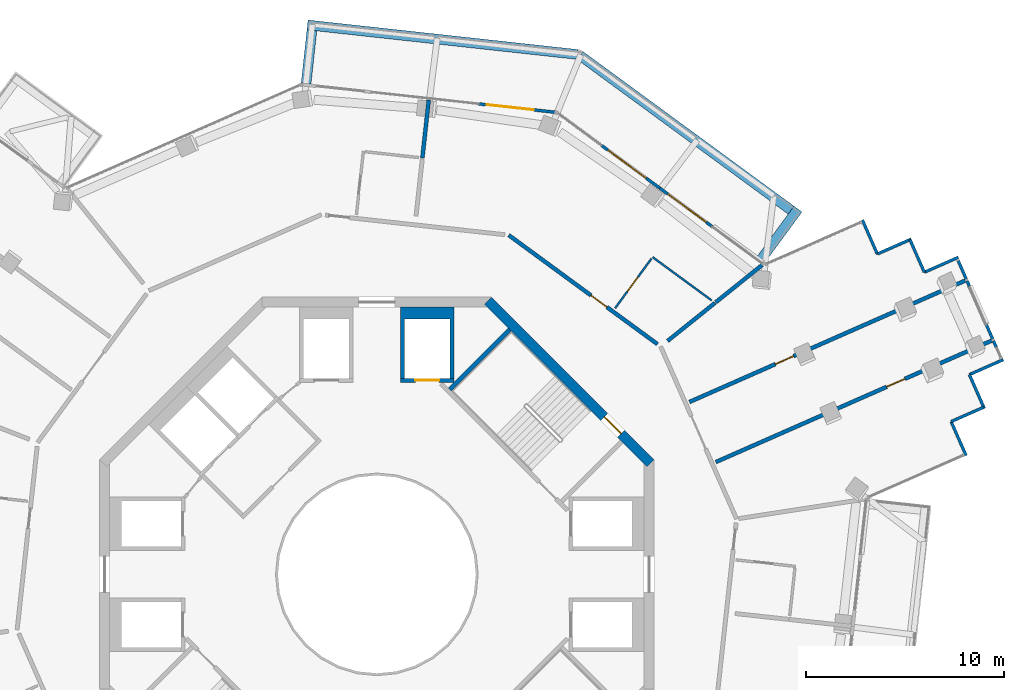
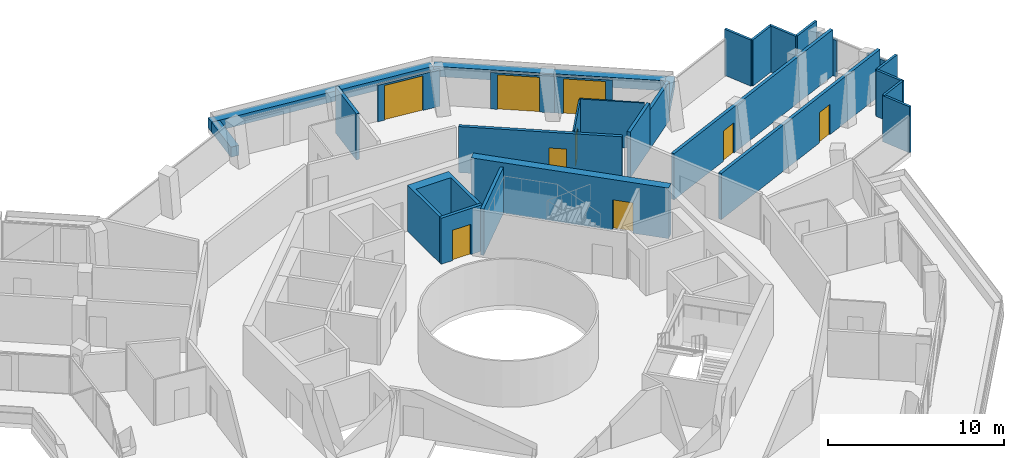
# One storey, part 19 of 22: 31 walls, 9 doors, 9 openings.
"""IFC4 building model written with IfcOpenShell, lengths in metres."""

from ifc_helpers import new_model, si_unit, direction, frame, frame_2d, origin, place, context, subcontext, project, spatial, polyline, rectangle, outline, extrude, material, layer, layer_set, type_object, element, fill, save


model = new_model("IFC4")

# Units and contexts
model_context = context("Model", 3, precision=1e-05, world=origin(), true_north=direction((0.0, 1.0)))
body_context = subcontext(model_context, "Body", "Model", "MODEL_VIEW")
ifc_project = project(units=[si_unit("LENGTHUNIT", "METRE"), si_unit("AREAUNIT", "SQUARE_METRE"), si_unit("VOLUMEUNIT", "CUBIC_METRE"), si_unit("PLANEANGLEUNIT", "RADIAN"), si_unit("MASSUNIT", "GRAM", prefix="KILO")], contexts=[model_context])

# Site, building, storey
site_placement = place(None, origin())
site = spatial("IfcSite", under=ifc_project, at=site_placement, CompositionType="ELEMENT")
building_placement = place(site_placement, origin())
building = spatial("IfcBuilding", under=site, at=building_placement, Name="Verdalira Terraces Hotel", CompositionType="ELEMENT")
storey_placement = place(building_placement, frame((0.0, 0.0, 252.5)))
storey = spatial("IfcBuildingStorey", under=building, at=storey_placement, Name="L62", CompositionType="ELEMENT", Elevation=252.5)

# Walls
ifc_material_1 = material(Name="Concrete C40", Category="concrete")
ifc_layer_1 = layer(ifc_material_1, 0.5)
ifc_layer_set_1 = layer_set([ifc_layer_1], Name="Balcony planter trough with tree")
wall_type_1 = type_object("IfcWallType", Name="Balcony planter trough with tree", PredefinedType="SOLIDWALL", material=ifc_layer_set_1)
wall_1_placement = place(storey_placement, frame((19.382324, 15.871582, 0.0), z_axis=(0.0, 0.0, 1.0), x_axis=(0.591171745, 0.806545701, 0.0)))
element("IfcWall", 1, at=wall_1_placement, inside=storey, type_object=wall_type_1, Name="Balcony planter", PredefinedType="SOLIDWALL", context=body_context, shape_type="SweptSolid", body=[
    extrude(rectangle(XDim=3.198975, YDim=0.5, at=frame_2d((1.599609, 0.0))), origin(), (0.0, 0.0, 1.0), 0.699951),
])
wall_2_placement = place(storey_placement, frame((20.924072, 18.397705, 0.0), z_axis=(0.0, 0.0, 1.0), x_axis=(-0.806549363, 0.591166749, 0.0)))
element("IfcWall", 2, at=wall_2_placement, inside=storey, type_object=wall_type_1, Name="Balcony planter", PredefinedType="SOLIDWALL", context=body_context, shape_type="SweptSolid", body=[
    extrude(rectangle(XDim=13.223633, YDim=0.5, at=frame_2d((6.611816, 0.0))), origin(), (0.0, 0.0, 1.0), 0.699951),
])
wall_3_placement = place(storey_placement, frame((10.137939, 26.261963, 0.0), z_axis=(0.0, 0.0, 1.0), x_axis=(-0.994074876, 0.108697475, 0.0)))
element("IfcWall", 3, at=wall_3_placement, inside=storey, type_object=wall_type_1, Name="Balcony planter", PredefinedType="SOLIDWALL", context=body_context, shape_type="SweptSolid", body=[
    extrude(rectangle(XDim=13.723389, YDim=0.5, at=frame_2d((6.861816, 0.0))), origin(), (0.0, 0.0, 1.0), 0.699951),
])
wall_4_placement = place(storey_placement, frame((-3.282715, 27.478027, 0.0), z_axis=(0.0, 0.0, 1.0), x_axis=(-0.108723798, -0.994071997, 0.0)))
element("IfcWall", 4, at=wall_4_placement, inside=storey, type_object=wall_type_1, Name="Balcony planter", PredefinedType="SOLIDWALL", context=body_context, shape_type="SweptSolid", body=[
    extrude(rectangle(XDim=2.699219, YDim=0.5, at=frame_2d((1.349609, 0.0))), origin(), (0.0, 0.0, 1.0), 0.699951),
])

# Wall, opening, door
ifc_material_2 = material(Name="Moisture-resistant gypsum board partition")
ifc_layer_2 = layer(ifc_material_2, 0.10009765625)
ifc_layer_set_2 = layer_set([ifc_layer_2], Name="Bathroom partition 100 mm")
wall_type_2 = type_object("IfcWallType", Name="Bathroom partition 100 mm", PredefinedType="PARTITIONING", material=ifc_layer_set_2)
wall_5_placement = place(storey_placement, frame((13.867188, 15.945068, 0.0), z_axis=(0.0, 0.0, 1.0), x_axis=(-0.591155368, -0.806557704, 0.0)))
wall_5 = element("IfcWall", 5, at=wall_5_placement, inside=storey, type_object=wall_type_2, Name="Bathroom partition", PredefinedType="PARTITIONING", context=body_context, shape_type="SweptSolid", body=[
    extrude(rectangle(XDim=3.099854, YDim=0.100098, at=frame_2d((1.549805, 0.0))), origin(), (0.0, 0.0, 1.0), 3.189941),
])
opening_1_placement = place(wall_5_placement, frame((1.149902, 0.0, 0.0)))
opening_1 = element("IfcOpeningElement", 6, at=opening_1_placement, cuts=wall_5, Name="Opening L62-124", PredefinedType="OPENING", context=body_context, shape_type="SweptSolid", body=[
    extrude(rectangle(XDim=0.899902, YDim=2.100098, at=frame_2d((0.449951, 1.050049))), frame((0.0, 0.060059, 0.0), z_axis=(0.0, -1.0, 0.0), x_axis=(1.0, 0.0, 0.0)), (0.0, 0.0, 1.0), 0.120117),
])
ifc_material_3 = material(Name="Timber door", Category="wood")
door_type_1 = type_object("IfcDoorType", Name="Bathroom door 900 x 2100", OperationType="NOTDEFINED", PredefinedType="DOOR", material=ifc_material_3)
door_1_placement = place(opening_1_placement, origin())
door_1 = element("IfcDoor", 7, at=door_1_placement, inside=storey, type_object=door_type_1, Name="Bathroom door 6211", OperationType="SINGLE_SWING_LEFT", OverallHeight=2.10009765625, OverallWidth=0.89990234375, PredefinedType="DOOR", context=body_context, shape_type="SweptSolid", body=[
    extrude(rectangle(XDim=0.899902, YDim=2.100098, at=frame_2d((0.449951, 1.050049))), frame((0.0, 0.024902, 0.0), z_axis=(0.0, -1.0, 0.0), x_axis=(1.0, 0.0, 0.0)), (0.0, 0.0, 1.0), 0.050049),
])
fill(opening_1, door_1)

# Walls
wall_6_placement = place(storey_placement, frame((13.92627, 16.025635, 0.0), z_axis=(0.0, 0.0, 1.0), x_axis=(0.806587268, -0.59111503, 0.0)))
element("IfcWall", 8, at=wall_6_placement, inside=storey, type_object=wall_type_2, Name="Bathroom partition", PredefinedType="PARTITIONING", context=body_context, shape_type="SweptSolid", body=[
    extrude(rectangle(XDim=3.703857, YDim=0.100098, at=frame_2d((1.852051, 0.0))), origin(), (0.0, 0.0, 1.0), 3.189941),
])
ifc_material_4 = material(Name="Concrete C50", Category="concrete")
ifc_layer_3 = layer(ifc_material_4, 0.199951171875)
ifc_layer_set_3 = layer_set([ifc_layer_3], Name="Core RC wall 200 C50")
wall_type_3 = type_object("IfcWallType", Name="Core RC wall 200 C50", PredefinedType="SOLIDWALL", material=ifc_layer_set_3)
wall_7_placement = place(storey_placement, origin())
element("IfcWall", 9, at=wall_7_placement, inside=storey, type_object=wall_type_3, Name="L62 shaft wall N1", PredefinedType="SOLIDWALL", context=body_context, shape_type="SweptSolid", body=[
    extrude(outline(polyline([(3.899902, 9.899902), (3.699951, 9.899902), (3.699951, 12.899902), (1.399902, 12.899902), (1.399902, 9.899902), (1.199951, 9.899902), (1.199951, 13.5), (3.899902, 13.5), (3.899902, 9.899902)])), origin(), (0.0, 0.0, 1.0), 3.189941),
])

# Wall, opening, door
wall_8_placement = place(storey_placement, frame((1.199951, 9.800049, 0.0), z_axis=(0.0, 0.0, 1.0), x_axis=(1.0, 0.0, 0.0)))
wall_8 = element("IfcWall", 10, at=wall_8_placement, inside=storey, type_object=wall_type_3, Name="L62 shaft front wall N1", PredefinedType="SOLIDWALL", context=body_context, shape_type="SweptSolid", body=[
    extrude(rectangle(XDim=2.699951, YDim=0.199951, at=frame_2d((1.350098, 0.0))), origin(), (0.0, 0.0, 1.0), 3.189941),
])
opening_2_placement = place(wall_8_placement, frame((0.75, 0.0, 0.0)))
opening_2 = element("IfcOpeningElement", 11, at=opening_2_placement, cuts=wall_8, Name="Opening LD-L62-804", PredefinedType="OPENING", context=body_context, shape_type="SweptSolid", body=[
    extrude(rectangle(XDim=1.199951, YDim=2.100098, at=frame_2d((0.600098, 1.050049))), frame((0.0, 0.109863, 0.0), z_axis=(0.0, -1.0, 0.0), x_axis=(1.0, 0.0, 0.0)), (0.0, 0.0, 1.0), 0.219971),
])
ifc_material_5 = material(Name="Stainless steel", Category="steel")
door_type_2 = type_object("IfcDoorType", Name="Landing door 1200 x 2100", OperationType="NOTDEFINED", PredefinedType="DOOR", material=ifc_material_5)
door_2_placement = place(opening_2_placement, origin())
door_2 = element("IfcDoor", 12, at=door_2_placement, inside=storey, type_object=door_type_2, Name="Lift landing door HR3 L62", OperationType="DOUBLE_DOOR_SLIDING", OverallHeight=2.10009765625, OverallWidth=1.199951171875, PredefinedType="DOOR", context=body_context, shape_type="SweptSolid", body=[
    extrude(rectangle(XDim=1.199951, YDim=2.100098, at=frame_2d((0.600098, 1.050049))), frame((0.0, 0.024902, 0.0), z_axis=(0.0, -1.0, 0.0), x_axis=(1.0, 0.0, 0.0)), (0.0, 0.0, 1.0), 0.050049),
])
fill(opening_2, door_2)

# Wall
wall_9_placement = place(storey_placement, frame((3.677002, 9.33374, 0.0), z_axis=(0.0, 0.0, 1.0), x_axis=(0.707078393, 0.707135168, 0.0)))
element("IfcWall", 13, at=wall_9_placement, inside=storey, type_object=wall_type_3, Name="L62 stair ST1 end wall 2", PredefinedType="SOLIDWALL", context=body_context, shape_type="SweptSolid", body=[
    extrude(rectangle(XDim=4.300049, YDim=0.199951, at=frame_2d((2.149902, 0.0))), origin(), (0.0, 0.0, 1.0), 3.189941),
])

# Wall, opening, door
ifc_material_6 = material(Name="Concrete C50", Category="concrete")
ifc_layer_4 = layer(ifc_material_6, 0.5)
ifc_layer_set_4 = layer_set([ifc_layer_4], Name="Core wall 500 C50")
wall_type_4 = type_object("IfcWallType", Name="Core wall 500 C50", PredefinedType="SHEAR", material=ifc_layer_set_4)
wall_10_placement = place(storey_placement, frame((13.823242, 5.622314, 0.0), z_axis=(0.0, 0.0, 1.0), x_axis=(-0.707106781, 0.707106781, 0.0)))
wall_10 = element("IfcWall", 14, at=wall_10_placement, inside=storey, type_object=wall_type_4, Name="Core wall CW-L62-2", PredefinedType="SHEAR", context=body_context, shape_type="SweptSolid", body=[
    extrude(rectangle(XDim=11.5979, YDim=0.5, at=frame_2d((5.798828, 0.0))), origin(), (0.0, 0.0, 1.0), 3.5),
])
opening_3_placement = place(wall_10_placement, frame((2.099121, 0.0, 0.0)))
opening_3 = element("IfcOpeningElement", 15, at=opening_3_placement, cuts=wall_10, Name="Opening L62-816", PredefinedType="OPENING", context=body_context, shape_type="SweptSolid", body=[
    extrude(rectangle(XDim=1.199951, YDim=2.100098, at=frame_2d((0.600098, 1.050049))), frame((0.0, 0.26001, 0.0), z_axis=(0.0, -1.0, 0.0), x_axis=(1.0, 0.0, 0.0)), (0.0, 0.0, 1.0), 0.52002),
])
ifc_material_7 = material(Name="Steel fire door", Category="steel")
door_type_3 = type_object("IfcDoorType", Name="Stair door 1200 x 2100", OperationType="NOTDEFINED", PredefinedType="DOOR", material=ifc_material_7)
door_3_placement = place(opening_3_placement, origin())
door_3 = element("IfcDoor", 16, at=door_3_placement, inside=storey, type_object=door_type_3, Name="Stair exit door ST1 L62", OperationType="SINGLE_SWING_LEFT", OverallHeight=2.10009765625, OverallWidth=1.199951171875, PredefinedType="DOOR", context=body_context, shape_type="SweptSolid", body=[
    extrude(rectangle(XDim=1.199951, YDim=2.100098, at=frame_2d((0.600098, 1.050049))), frame((0.0, 0.024902, 0.0), z_axis=(0.0, -1.0, 0.0), x_axis=(1.0, 0.0, 0.0)), (0.0, 0.0, 1.0), 0.050049),
])
fill(opening_3, door_3)

# Walls
ifc_material_8 = material(Name="Fire-rated gypsum board wall")
ifc_layer_5 = layer(ifc_material_8, 0.199951171875)
ifc_layer_set_5 = layer_set([ifc_layer_5], Name="Demising wall 200 mm")
wall_type_5 = type_object("IfcWallType", Name="Demising wall 200 mm", PredefinedType="SOLIDWALL", material=ifc_layer_set_5)
wall_11_placement = place(storey_placement, frame((2.299561, 21.031006, 0.0), z_axis=(0.0, 0.0, 1.0), x_axis=(0.10867934, 0.994076859, 0.0)))
element("IfcWall", 17, at=wall_11_placement, inside=storey, type_object=wall_type_5, Name="Demising wall", PredefinedType="SOLIDWALL", context=body_context, shape_type="SweptSolid", body=[
    extrude(rectangle(XDim=2.951904, YDim=0.199951, at=frame_2d((1.476074, 0.0))), origin(), (0.0, 0.0, 1.0), 3.189941),
])
wall_12_placement = place(storey_placement, frame((14.684814, 11.789795, 0.0), z_axis=(0.0, 0.0, 1.0), x_axis=(0.779744275, 0.626098127, 0.0)))
element("IfcWall", 18, at=wall_12_placement, inside=storey, type_object=wall_type_5, Name="Demising wall", PredefinedType="SOLIDWALL", context=body_context, shape_type="SweptSolid", body=[
    extrude(rectangle(XDim=3.074707, YDim=0.199951, at=frame_2d((1.537354, 0.0))), origin(), (0.0, 0.0, 1.0), 3.189941),
])

# Wall, opening, door
wall_13_placement = place(storey_placement, frame((15.78833, 8.707275, 0.0), z_axis=(0.0, 0.0, 1.0), x_axis=(0.915241254, 0.40290625, 0.0)))
wall_13 = element("IfcWall", 19, at=wall_13_placement, inside=storey, type_object=wall_type_5, Name="Demising wall", PredefinedType="SOLIDWALL", context=body_context, shape_type="SweptSolid", body=[
    extrude(rectangle(XDim=15.226807, YDim=0.199951, at=frame_2d((7.613281, 0.0))), origin(), (0.0, 0.0, 1.0), 3.189941),
])
opening_4_placement = place(wall_13_placement, frame((4.75, 0.0, 0.0)))
opening_4 = element("IfcOpeningElement", 20, at=opening_4_placement, cuts=wall_13, Name="Opening L62-122", PredefinedType="OPENING", context=body_context, shape_type="SweptSolid", body=[
    extrude(rectangle(XDim=1.0, YDim=2.100098, at=frame_2d((0.5, 1.050049))), frame((0.0, 0.109863, 0.0), z_axis=(0.0, -1.0, 0.0), x_axis=(1.0, 0.0, 0.0)), (0.0, 0.0, 1.0), 0.219971),
])
ifc_material_9 = material(Name="Timber fire door", Category="wood")
door_type_4 = type_object("IfcDoorType", Name="Public room door 1000 x 2100", OperationType="NOTDEFINED", PredefinedType="DOOR", material=ifc_material_9)
door_4_placement = place(opening_4_placement, origin())
door_4 = element("IfcDoor", 21, at=door_4_placement, inside=storey, type_object=door_type_4, Name="Public room door 6210", OperationType="SINGLE_SWING_LEFT", OverallHeight=2.10009765625, OverallWidth=1.0, PredefinedType="DOOR", context=body_context, shape_type="SweptSolid", body=[
    extrude(rectangle(XDim=1.0, YDim=2.100098, at=frame_2d((0.5, 1.050049))), frame((0.0, 0.024902, 0.0), z_axis=(0.0, -1.0, 0.0), x_axis=(1.0, 0.0, 0.0)), (0.0, 0.0, 1.0), 0.050049),
])
fill(opening_4, door_4)

wall_14_placement = place(storey_placement, frame((31.060059, 11.80835, 0.0), z_axis=(0.0, 0.0, 1.0), x_axis=(-0.915247167, -0.402892819, 0.0)))
wall_14 = element("IfcWall", 22, at=wall_14_placement, inside=storey, type_object=wall_type_5, Name="Demising wall", PredefinedType="SOLIDWALL", context=body_context, shape_type="SweptSolid", body=[
    extrude(rectangle(XDim=15.226807, YDim=0.199951, at=frame_2d((7.613281, 0.0))), origin(), (0.0, 0.0, 1.0), 3.189941),
])
opening_5_placement = place(wall_14_placement, frame((4.800049, 0.0, 0.0)))
opening_5 = element("IfcOpeningElement", 23, at=opening_5_placement, cuts=wall_14, Name="Opening L62-121", PredefinedType="OPENING", context=body_context, shape_type="SweptSolid", body=[
    extrude(rectangle(XDim=1.0, YDim=2.100098, at=frame_2d((0.5, 1.050049))), frame((0.0, 0.109863, 0.0), z_axis=(0.0, -1.0, 0.0), x_axis=(1.0, 0.0, 0.0)), (0.0, 0.0, 1.0), 0.219971),
])
door_5_placement = place(opening_5_placement, origin())
door_5 = element("IfcDoor", 24, at=door_5_placement, inside=storey, type_object=door_type_4, Name="Public room door 6210", OperationType="SINGLE_SWING_LEFT", OverallHeight=2.10009765625, OverallWidth=1.0, PredefinedType="DOOR", context=body_context, shape_type="SweptSolid", body=[
    extrude(rectangle(XDim=1.0, YDim=2.100098, at=frame_2d((0.5, 1.050049))), frame((0.0, 0.024902, 0.0), z_axis=(0.0, -1.0, 0.0), x_axis=(1.0, 0.0, 0.0)), (0.0, 0.0, 1.0), 0.050049),
])
fill(opening_5, door_5)

# Wall
ifc_material_10 = material(Name="Fire-rated gypsum board wall")
ifc_layer_6 = layer(ifc_material_10, 0.199951171875)
ifc_layer_set_6 = layer_set([ifc_layer_6], Name="Demising wall 200 mm to beam soffit")
wall_type_6 = type_object("IfcWallType", Name="Demising wall 200 mm to beam soffit", PredefinedType="SOLIDWALL", material=ifc_layer_set_6)
wall_15_placement = place(storey_placement, frame((17.118164, 13.743652, 0.0), z_axis=(0.0, 0.0, 1.0), x_axis=(0.779776076, 0.626058521, 0.0)))
element("IfcWall", 25, at=wall_15_placement, inside=storey, type_object=wall_type_6, Name="Demising wall", PredefinedType="SOLIDWALL", context=body_context, shape_type="SweptSolid", body=[
    extrude(rectangle(XDim=3.01123, YDim=0.199951, at=frame_2d((1.505615, 0.0))), origin(), (0.0, 0.0, 1.0), 2.689941),
])

# Wall, opening, door
ifc_material_11 = material(Name="Fire-rated gypsum board wall")
ifc_layer_7 = layer(ifc_material_11, 0.199951171875)
ifc_layer_set_7 = layer_set([ifc_layer_7], Name="Guest corridor wall 200 mm")
wall_type_7 = type_object("IfcWallType", Name="Guest corridor wall 200 mm", PredefinedType="SOLIDWALL", material=ifc_layer_set_7)
wall_16_placement = place(storey_placement, frame((6.660889, 17.135498, 0.0), z_axis=(0.0, 0.0, 1.0), x_axis=(0.80654328, -0.591175049, 0.0)))
wall_16 = element("IfcWall", 26, at=wall_16_placement, inside=storey, type_object=wall_type_7, Name="Guest corridor wall", PredefinedType="SOLIDWALL", context=body_context, shape_type="SweptSolid", body=[
    extrude(rectangle(XDim=9.315918, YDim=0.199951, at=frame_2d((4.657959, 0.0))), origin(), (0.0, 0.0, 1.0), 3.189941),
])
opening_6_placement = place(wall_16_placement, frame((5.149902, 0.0, 0.0)))
opening_6 = element("IfcOpeningElement", 27, at=opening_6_placement, cuts=wall_16, Name="Opening L62-123", PredefinedType="OPENING", context=body_context, shape_type="SweptSolid", body=[
    extrude(rectangle(XDim=1.0, YDim=2.100098, at=frame_2d((0.5, 1.050049))), frame((0.0, 0.109863, 0.0), z_axis=(0.0, -1.0, 0.0), x_axis=(1.0, 0.0, 0.0)), (0.0, 0.0, 1.0), 0.219971),
])
ifc_material_12 = material(Name="Timber fire door", Category="wood")
door_type_5 = type_object("IfcDoorType", Name="Guest entry door 1000 x 2100", OperationType="NOTDEFINED", PredefinedType="DOOR", material=ifc_material_12)
door_6_placement = place(opening_6_placement, origin())
door_6 = element("IfcDoor", 28, at=door_6_placement, inside=storey, type_object=door_type_5, Name="Guest entry door 6211", OperationType="SINGLE_SWING_LEFT", OverallHeight=2.10009765625, OverallWidth=1.0, PredefinedType="DOOR", context=body_context, shape_type="SweptSolid", body=[
    extrude(rectangle(XDim=1.0, YDim=2.100098, at=frame_2d((0.5, 1.050049))), frame((0.0, 0.024902, 0.0), z_axis=(0.0, -1.0, 0.0), x_axis=(1.0, 0.0, 0.0)), (0.0, 0.0, 1.0), 0.050049),
])
fill(opening_6, door_6)

# Walls
ifc_material_13 = material(Name="Terracotta cladding", Category="masonry")
ifc_layer_8 = layer(ifc_material_13, 0.14990234375)
ifc_layer_set_8 = layer_set([ifc_layer_8], Name="Terracotta clad wall 150")
wall_type_8 = type_object("IfcWallType", Name="Terracotta clad wall 150", PredefinedType="SOLIDWALL", material=ifc_layer_set_8)
wall_17_placement = place(storey_placement, frame((29.765137, 6.001221, 0.0), z_axis=(0.0, 0.0, 1.0), x_axis=(-0.402982952, 0.915207485, 0.0)))
element("IfcWall", 29, at=wall_17_placement, inside=storey, type_object=wall_type_8, Name="Terracotta cladding wall", PredefinedType="SOLIDWALL", context=body_context, shape_type="SweptSolid", body=[
    extrude(rectangle(XDim=1.875, YDim=0.149902, at=frame_2d((0.9375, 0.0))), origin(), (0.0, 0.0, 1.0), 3.189941),
])
wall_18_placement = place(storey_placement, frame((29.009521, 7.717285, 0.0), z_axis=(0.0, 0.0, 1.0), x_axis=(0.915271027, 0.402838612, 0.0)))
element("IfcWall", 30, at=wall_18_placement, inside=storey, type_object=wall_type_8, Name="Terracotta cladding wall", PredefinedType="SOLIDWALL", context=body_context, shape_type="SweptSolid", body=[
    extrude(rectangle(XDim=1.800049, YDim=0.149902, at=frame_2d((0.899902, 0.0))), origin(), (0.0, 0.0, 1.0), 3.189941),
])
for number, where, z_axis, x_axis, name in (
    (31, (30.687256, 8.373779, 0.0), (0.0, 0.0, 1.0), (-0.402873883, 0.915255502, 0.0), "Terracotta cladding wall"),
    (32, (29.931885, 10.089844, 0.0), (0.0, 0.0, 1.0), (0.915207485, 0.402982952, 0.0), "Terracotta cladding wall"),
):
    element("IfcWall", number, at=place(storey_placement, frame(where, z_axis=z_axis, x_axis=x_axis)), inside=storey, type_object=wall_type_8, Name=name, PredefinedType="SOLIDWALL", context=body_context, shape_type="SweptSolid", body=[
        extrude(rectangle(XDim=1.875, YDim=0.149902, at=frame_2d((0.9375, 0.0))), origin(), (0.0, 0.0, 1.0), 3.189941),
    ])
wall_19_placement = place(storey_placement, frame((29.371582, 16.016602, 0.0), z_axis=(0.0, 0.0, 1.0), x_axis=(-0.915228626, -0.402934936, 0.0)))
element("IfcWall", 33, at=wall_19_placement, inside=storey, type_object=wall_type_8, Name="Terracotta cladding wall", PredefinedType="SOLIDWALL", context=body_context, shape_type="SweptSolid", body=[
    extrude(rectangle(XDim=1.875244, YDim=0.149902, at=frame_2d((0.9375, 0.0))), origin(), (0.0, 0.0, 1.0), 3.189941),
])
wall_20_placement = place(storey_placement, frame((27.655273, 15.260986, 0.0), z_axis=(0.0, 0.0, 1.0), x_axis=(-0.402838612, 0.915271027, 0.0)))
element("IfcWall", 34, at=wall_20_placement, inside=storey, type_object=wall_type_8, Name="Terracotta cladding wall", PredefinedType="SOLIDWALL", context=body_context, shape_type="SweptSolid", body=[
    extrude(rectangle(XDim=1.800049, YDim=0.149902, at=frame_2d((0.899902, 0.0))), origin(), (0.0, 0.0, 1.0), 3.189941),
])
for number, where, z_axis, x_axis, name in (
    (35, (26.998779, 16.938721, 0.0), (0.0, 0.0, 1.0), (-0.915255502, -0.402873883, 0.0), "Terracotta cladding wall"),
    (36, (25.282715, 16.18335, 0.0), (0.0, 0.0, 1.0), (-0.402873883, 0.915255502, 0.0), "Terracotta cladding wall"),
):
    element("IfcWall", number, at=place(storey_placement, frame(where, z_axis=z_axis, x_axis=x_axis)), inside=storey, type_object=wall_type_8, Name=name, PredefinedType="SOLIDWALL", context=body_context, shape_type="SweptSolid", body=[
        extrude(rectangle(XDim=1.875, YDim=0.149902, at=frame_2d((0.9375, 0.0))), origin(), (0.0, 0.0, 1.0), 3.189941),
    ])
ifc_material_14 = material(Name="Terracotta cladding", Category="masonry")
ifc_layer_9 = layer(ifc_material_14, 0.14990234375)
ifc_layer_set_9 = layer_set([ifc_layer_9], Name="Terracotta column pier 150")
wall_type_9 = type_object("IfcWallType", Name="Terracotta column pier 150", PredefinedType="SOLIDWALL", material=ifc_layer_set_9)
wall_21_placement = place(storey_placement, frame((31.311279, 11.423828, 0.0), z_axis=(0.0, 0.0, 1.0), x_axis=(-0.402956408, 0.915219172, 0.0)))
element("IfcWall", 37, at=wall_21_placement, inside=storey, type_object=wall_type_9, Name="Terracotta column pier", PredefinedType="SOLIDWALL", context=body_context, shape_type="SweptSolid", body=[
    extrude(rectangle(XDim=0.413086, YDim=0.149902, at=frame_2d((0.206543, 0.0))), origin(), (0.0, 0.0, 1.0), 2.524902),
])
wall_22_placement = place(storey_placement, frame((31.112549, 11.875244, 0.0), z_axis=(0.0, 0.0, 1.0), x_axis=(-0.402850184, 0.915265933, 0.0)))
element("IfcWall", 38, at=wall_22_placement, inside=storey, type_object=wall_type_9, Name="Terracotta column pier", PredefinedType="SOLIDWALL", context=body_context, shape_type="SweptSolid", body=[
    extrude(rectangle(XDim=0.806641, YDim=0.149902, at=frame_2d((0.40332, 0.0))), origin(), (0.0, 0.0, 1.0), 2.524902),
])
wall_23_placement = place(storey_placement, frame((29.930176, 14.561279, 0.0), z_axis=(0.0, 0.0, 1.0), x_axis=(-0.402738614, 0.915315032, 0.0)))
element("IfcWall", 39, at=wall_23_placement, inside=storey, type_object=wall_type_9, Name="Terracotta column pier", PredefinedType="SOLIDWALL", context=body_context, shape_type="SweptSolid", body=[
    extrude(rectangle(XDim=0.300049, YDim=0.149902, at=frame_2d((0.149902, 0.0))), origin(), (0.0, 0.0, 1.0), 2.524902),
])
wall_24_placement = place(storey_placement, frame((29.7771, 14.908936, 0.0), z_axis=(0.0, 0.0, 1.0), x_axis=(-0.402922698, 0.915234013, 0.0)))
element("IfcWall", 40, at=wall_24_placement, inside=storey, type_object=wall_type_9, Name="Terracotta column pier", PredefinedType="SOLIDWALL", context=body_context, shape_type="SweptSolid", body=[
    extrude(rectangle(XDim=1.022217, YDim=0.149902, at=frame_2d((0.51123, 0.0))), origin(), (0.0, 0.0, 1.0), 2.524902),
])

# Wall, opening, door
ifc_material_15 = material(Name="Terracotta cladding", Category="masonry")
ifc_layer_10 = layer(ifc_material_15, 0.14990234375)
ifc_layer_set_10 = layer_set([ifc_layer_10], Name="Terracotta door pier 150")
wall_type_10 = type_object("IfcWallType", Name="Terracotta door pier 150", PredefinedType="SOLIDWALL", material=ifc_layer_set_10)
wall_25_placement = place(storey_placement, frame((16.958008, 17.554199, 0.0), z_axis=(0.0, 0.0, 1.0), x_axis=(-0.806539039, 0.591180835, 0.0)))
wall_25 = element("IfcWall", 41, at=wall_25_placement, inside=storey, type_object=wall_type_10, Name="Terracotta door pier", PredefinedType="SOLIDWALL", context=body_context, shape_type="SweptSolid", body=[
    extrude(rectangle(XDim=3.300049, YDim=0.149902, at=frame_2d((1.649902, 0.0))), origin(), (0.0, 0.0, 1.0), 2.524902),
])
opening_7_placement = place(wall_25_placement, frame((0.399902, 0.0, 0.0)))
opening_7 = element("IfcOpeningElement", 42, at=opening_7_placement, cuts=wall_25, Name="Opening L62-B12", PredefinedType="OPENING", context=body_context, shape_type="SweptSolid", body=[
    extrude(rectangle(XDim=2.399902, YDim=2.399902, at=frame_2d((1.199951, 1.199951))), frame((0.0, 0.084961, 0.0), z_axis=(0.0, -1.0, 0.0), x_axis=(1.0, 0.0, 0.0)), (0.0, 0.0, 1.0), 0.169922),
])
ifc_material_16 = material(Name="Clear glass", Category="glass")
door_type_6 = type_object("IfcDoorType", Name="Balcony sliding door 2400x2400", OperationType="NOTDEFINED", PredefinedType="DOOR", material=ifc_material_16)
door_7_placement = place(opening_7_placement, origin())
door_7 = element("IfcDoor", 43, at=door_7_placement, inside=storey, type_object=door_type_6, Name="Balcony sliding door", OperationType="SLIDING_TO_RIGHT", OverallHeight=2.39990234375, OverallWidth=2.39990234375, PredefinedType="DOOR", context=body_context, shape_type="SweptSolid", body=[
    extrude(rectangle(XDim=2.399902, YDim=2.399902, at=frame_2d((1.199951, 1.199951))), frame((0.0, 0.024902, 0.0), z_axis=(0.0, -1.0, 0.0), x_axis=(1.0, 0.0, 0.0)), (0.0, 0.0, 1.0), 0.050049),
])
fill(opening_7, door_7)

wall_26_placement = place(storey_placement, frame((14.296387, 19.505127, 0.0), z_axis=(0.0, 0.0, 1.0), x_axis=(-0.806553373, 0.591161278, 0.0)))
wall_26 = element("IfcWall", 44, at=wall_26_placement, inside=storey, type_object=wall_type_10, Name="Terracotta door pier", PredefinedType="SOLIDWALL", context=body_context, shape_type="SweptSolid", body=[
    extrude(rectangle(XDim=3.661133, YDim=0.149902, at=frame_2d((1.830566, 0.0))), origin(), (0.0, 0.0, 1.0), 2.524902),
])
opening_8_placement = place(wall_26_placement, frame((0.861328, 0.0, 0.0)))
opening_8 = element("IfcOpeningElement", 45, at=opening_8_placement, cuts=wall_26, Name="Opening L62-B13", PredefinedType="OPENING", context=body_context, shape_type="SweptSolid", body=[
    extrude(rectangle(XDim=2.399902, YDim=2.399902, at=frame_2d((1.199951, 1.199951))), frame((0.0, 0.084961, 0.0), z_axis=(0.0, -1.0, 0.0), x_axis=(1.0, 0.0, 0.0)), (0.0, 0.0, 1.0), 0.169922),
])
door_8_placement = place(opening_8_placement, origin())
door_8 = element("IfcDoor", 46, at=door_8_placement, inside=storey, type_object=door_type_6, Name="Balcony sliding door", OperationType="SLIDING_TO_LEFT", OverallHeight=2.39990234375, OverallWidth=2.39990234375, PredefinedType="DOOR", context=body_context, shape_type="SweptSolid", body=[
    extrude(rectangle(XDim=2.399902, YDim=2.399902, at=frame_2d((1.199951, 1.199951))), frame((0.0, 0.024902, 0.0), z_axis=(0.0, -1.0, 0.0), x_axis=(1.0, 0.0, 0.0)), (0.0, 0.0, 1.0), 0.050049),
])
fill(opening_8, door_8)

wall_27_placement = place(storey_placement, frame((8.990479, 23.344482, 0.0), z_axis=(0.0, 0.0, 1.0), x_axis=(-0.994074893, 0.108697318, 0.0)))
wall_27 = element("IfcWall", 47, at=wall_27_placement, inside=storey, type_object=wall_type_10, Name="Terracotta door pier", PredefinedType="SOLIDWALL", context=body_context, shape_type="SweptSolid", body=[
    extrude(rectangle(XDim=3.863281, YDim=0.149902, at=frame_2d((1.931641, 0.0))), origin(), (0.0, 0.0, 1.0), 2.524902),
])
opening_9_placement = place(wall_27_placement, frame((1.062988, 0.0, 0.0)))
opening_9 = element("IfcOpeningElement", 48, at=opening_9_placement, cuts=wall_27, Name="Opening L62-B14", PredefinedType="OPENING", context=body_context, shape_type="SweptSolid", body=[
    extrude(rectangle(XDim=2.399902, YDim=2.399902, at=frame_2d((1.199951, 1.199951))), frame((0.0, 0.084961, 0.0), z_axis=(0.0, -1.0, 0.0), x_axis=(1.0, 0.0, 0.0)), (0.0, 0.0, 1.0), 0.169922),
])
door_9_placement = place(opening_9_placement, origin())
door_9 = element("IfcDoor", 49, at=door_9_placement, inside=storey, type_object=door_type_6, Name="Balcony sliding door", OperationType="SLIDING_TO_LEFT", OverallHeight=2.39990234375, OverallWidth=2.39990234375, PredefinedType="DOOR", context=body_context, shape_type="SweptSolid", body=[
    extrude(rectangle(XDim=2.399902, YDim=2.399902, at=frame_2d((1.199951, 1.199951))), frame((0.0, 0.024902, 0.0), z_axis=(0.0, -1.0, 0.0), x_axis=(1.0, 0.0, 0.0)), (0.0, 0.0, 1.0), 0.050049),
])
fill(opening_9, door_9)

save(model, "model.ifc")
